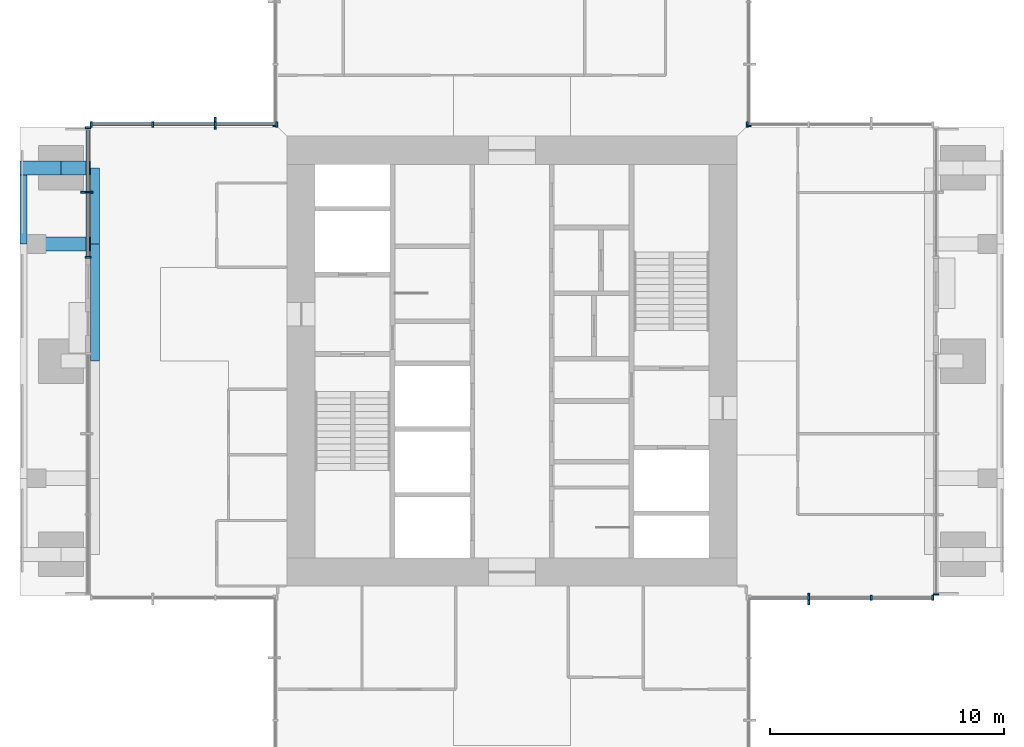
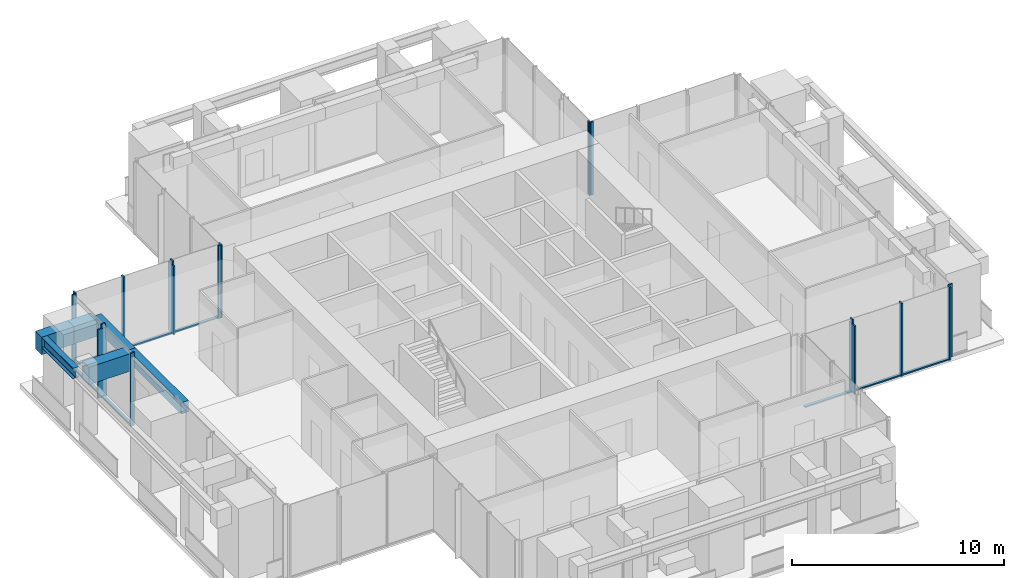
# One storey, part 3 of 12: 25 members, 6 beams, 7 elements without a shape of their own.
"""IFC4 building model written with IfcOpenShell, lengths in metres."""

from ifc_helpers import new_model, si_unit, direction, frame, origin, origin_2d, place, context, subcontext, project, spatial, rectangle, i_section, extrude, material, material_profile, profile_set, type_object, element, aggregate, save


model = new_model("IFC4")

# Units and contexts
model_context = context("Model", 3, precision=1e-05, world=origin(), true_north=direction((0.0, 1.0)))
body_context = subcontext(model_context, "Body", "Model", "MODEL_VIEW")
ifc_project = project(units=[si_unit("LENGTHUNIT", "METRE"), si_unit("AREAUNIT", "SQUARE_METRE"), si_unit("VOLUMEUNIT", "CUBIC_METRE"), si_unit("PLANEANGLEUNIT", "RADIAN"), si_unit("MASSUNIT", "GRAM", prefix="KILO")], contexts=[model_context])

# Site, building, storey
site_placement = place(None, origin())
site = spatial("IfcSite", under=ifc_project, at=site_placement, CompositionType="ELEMENT")
building_placement = place(site_placement, origin())
building = spatial("IfcBuilding", under=site, at=building_placement, Name="Svetlomir Tower", CompositionType="ELEMENT")
storey_placement = place(building_placement, frame((0.0, 0.0, 256.60009765625)))
storey = spatial("IfcBuildingStorey", under=building, at=storey_placement, Name="L61", CompositionType="ELEMENT", Elevation=256.60009765625)

# Curtain wall, member
ifc_material_1 = material(Name="Bronze anodised aluminium curtain wall", Category="aluminium")
curtain_wall_type = type_object("IfcCurtainWallType", Name="CURTAIN WALL CW4 EXECUTIVE", PredefinedType="NOTDEFINED", material=ifc_material_1)
curtain_wall_1_placement = place(storey_placement, origin())
curtain_wall_1 = element("IfcCurtainWall", 1, at=curtain_wall_1_placement, inside=storey, type_object=curtain_wall_type, Name="Curtain wall CW4 L61", PredefinedType="NOTDEFINED")
ifc_material_2 = material(Name="Bronze anodised aluminium", Category="aluminium")
ifc_material_profile_1 = material_profile(ifc_material_2, rectangle(XDim=0.080078125, YDim=0.5, at=origin_2d()), Name="FIN 80x500")
ifc_profile_set_1 = profile_set([ifc_material_profile_1], Name="Bronze anodised aluminium 6063-T6")
member_type_1 = type_object("IfcMemberType", Name="BRONZE FIN 80x500", PredefinedType="USERDEFINED", material=ifc_profile_set_1)
member_1_placement = place(storey_placement, frame((33.666748046875, 10.85009765625, 0.0), z_axis=(0.0, 0.0, 1.0), x_axis=(1.0, 0.0, 0.0)))
member_1 = element("IfcMember", 2, at=member_1_placement, type_object=member_type_1, Name="Bronze fin L61", ObjectType="FIN", PredefinedType="USERDEFINED", context=body_context, shape_type="SweptSolid", body=[
    extrude(rectangle(XDim=0.080078125, YDim=0.5, at=origin_2d()), origin(), (0.0, 0.0, 1.0), 3.949951171875),
])

curtain_wall_2_placement = place(storey_placement, origin())
curtain_wall_2 = element("IfcCurtainWall", 3, at=curtain_wall_2_placement, inside=storey, type_object=curtain_wall_type, Name="Curtain wall CW4 L61", PredefinedType="NOTDEFINED")
member_2_placement = place(storey_placement, frame((8.333251953125, 31.14990234375, 0.0), z_axis=(0.0, 0.0, 1.0), x_axis=(1.0, 0.0, 0.0)))
member_2 = element("IfcMember", 4, at=member_2_placement, type_object=member_type_1, Name="Bronze fin L61", ObjectType="FIN", PredefinedType="USERDEFINED", context=body_context, shape_type="SweptSolid", body=[
    extrude(rectangle(XDim=0.080078125, YDim=0.5, at=origin_2d()), origin(), (0.0, 0.0, 1.0), 3.949951171875),
])

curtain_wall_3_placement = place(storey_placement, origin())
curtain_wall_3 = element("IfcCurtainWall", 5, at=curtain_wall_3_placement, inside=storey, type_object=curtain_wall_type, Name="Curtain wall CW4 L61", PredefinedType="NOTDEFINED")
member_3_placement = place(storey_placement, frame((2.85009765625, 28.199951171875, 0.0), z_axis=(0.0, 0.0, 1.0), x_axis=(0.0, 1.0, 0.0)))
member_3 = element("IfcMember", 6, at=member_3_placement, type_object=member_type_1, Name="Bronze fin L61", ObjectType="FIN", PredefinedType="USERDEFINED", context=body_context, shape_type="SweptSolid", body=[
    extrude(rectangle(XDim=0.080078125, YDim=0.5, at=origin_2d()), origin(), (0.0, 0.0, 1.0), 3.949951171875),
])

# Member
ifc_material_3 = material(Name="Bronze anodised aluminium", Category="aluminium")
ifc_material_profile_2 = material_profile(ifc_material_3, rectangle(XDim=0.074951171875, YDim=0.219970703125, at=origin_2d()), Name="AL 75x220")
ifc_profile_set_2 = profile_set([ifc_material_profile_2], Name="Bronze anodised aluminium 6063-T6")
member_type_2 = type_object("IfcMemberType", Name="CW4 MULLION 75x220", PredefinedType="MULLION", material=ifc_profile_set_2)
member_4_placement = place(storey_placement, frame((33.666748046875, 10.89990234375, 0.0), z_axis=(0.0, 0.0, 1.0), x_axis=(1.0, 0.0, 0.0)))
member_4 = element("IfcMember", 7, at=member_4_placement, type_object=member_type_2, Name="CW4 mullion 2", PredefinedType="MULLION", context=body_context, shape_type="SweptSolid", body=[
    extrude(rectangle(XDim=0.074951171875, YDim=0.219970703125, at=origin_2d()), origin(), (0.0, 0.0, 1.0), 4.199951171875),
])

member_5_placement = place(storey_placement, frame((36.333251953125, 10.89990234375, 0.0), z_axis=(0.0, 0.0, 1.0), x_axis=(1.0, 0.0, 0.0)))
member_5 = element("IfcMember", 8, at=member_5_placement, type_object=member_type_2, Name="CW4 mullion 3", PredefinedType="MULLION", context=body_context, shape_type="SweptSolid", body=[
    extrude(rectangle(XDim=0.074951171875, YDim=0.219970703125, at=origin_2d()), origin(), (0.0, 0.0, 1.0), 4.199951171875),
])

member_6_placement = place(storey_placement, frame((38.96240234375, 10.89990234375, 0.0), z_axis=(0.0, 0.0, 1.0), x_axis=(1.0, 0.0, 0.0)))
member_6 = element("IfcMember", 9, at=member_6_placement, type_object=member_type_2, Name="CW4 mullion 4", PredefinedType="MULLION", context=body_context, shape_type="SweptSolid", body=[
    extrude(rectangle(XDim=0.074951171875, YDim=0.219970703125, at=origin_2d()), origin(), (0.0, 0.0, 1.0), 4.199951171875),
])

# Curtain wall, member
curtain_wall_4_placement = place(storey_placement, origin())
curtain_wall_4 = element("IfcCurtainWall", 10, at=curtain_wall_4_placement, inside=storey, type_object=curtain_wall_type, Name="Curtain wall CW4 L61", PredefinedType="NOTDEFINED")
member_7_placement = place(storey_placement, frame((39.10009765625, 11.03759765625, 0.0), z_axis=(0.0, 0.0, 1.0), x_axis=(0.0, 1.0, 0.0)))
member_7 = element("IfcMember", 11, at=member_7_placement, type_object=member_type_2, Name="CW4 mullion 1", PredefinedType="MULLION", context=body_context, shape_type="SweptSolid", body=[
    extrude(rectangle(XDim=0.074951171875, YDim=0.219970703125, at=origin_2d()), origin(), (0.0, 0.0, 1.0), 4.199951171875),
])
aggregate(curtain_wall_4, [member_7])

curtain_wall_5_placement = place(storey_placement, origin())
curtain_wall_5 = element("IfcCurtainWall", 12, at=curtain_wall_5_placement, inside=storey, type_object=curtain_wall_type, Name="Curtain wall CW4 L61", PredefinedType="NOTDEFINED")
member_8_placement = place(storey_placement, frame((31.03759765625, 31.10009765625, 0.0), z_axis=(0.0, 0.0, 1.0), x_axis=(-1.0, 0.0, 0.0)))
member_8 = element("IfcMember", 13, at=member_8_placement, type_object=member_type_2, Name="CW4 mullion 4", PredefinedType="MULLION", context=body_context, shape_type="SweptSolid", body=[
    extrude(rectangle(XDim=0.074951171875, YDim=0.219970703125, at=origin_2d()), origin(), (0.0, 0.0, 1.0), 4.199951171875),
])
aggregate(curtain_wall_5, [member_8])

curtain_wall_6_placement = place(storey_placement, origin())
curtain_wall_6 = element("IfcCurtainWall", 14, at=curtain_wall_6_placement, inside=storey, type_object=curtain_wall_type, Name="Curtain wall CW4 L61", PredefinedType="NOTDEFINED")
member_9_placement = place(storey_placement, frame((31.10009765625, 31.03759765625, 0.0), z_axis=(0.0, 0.0, 1.0), x_axis=(0.0, 1.0, 0.0)))
member_9 = element("IfcMember", 15, at=member_9_placement, type_object=member_type_2, Name="CW4 mullion 1", PredefinedType="MULLION", context=body_context, shape_type="SweptSolid", body=[
    extrude(rectangle(XDim=0.074951171875, YDim=0.219970703125, at=origin_2d()), origin(), (0.0, 0.0, 1.0), 4.199951171875),
])
aggregate(curtain_wall_6, [member_9])

curtain_wall_7_placement = place(storey_placement, origin())
curtain_wall_7 = element("IfcCurtainWall", 16, at=curtain_wall_7_placement, inside=storey, type_object=curtain_wall_type, Name="Curtain wall CW4 L61", PredefinedType="NOTDEFINED")
member_10_placement = place(storey_placement, frame((10.89990234375, 31.03759765625, 0.0), z_axis=(0.0, 0.0, 1.0), x_axis=(0.0, -1.0, 0.0)))
member_10 = element("IfcMember", 17, at=member_10_placement, type_object=member_type_2, Name="CW4 mullion 4", PredefinedType="MULLION", context=body_context, shape_type="SweptSolid", body=[
    extrude(rectangle(XDim=0.074951171875, YDim=0.219970703125, at=origin_2d()), origin(), (0.0, 0.0, 1.0), 4.199951171875),
])
aggregate(curtain_wall_7, [member_10])

# Member
member_11_placement = place(storey_placement, frame((10.96240234375, 31.10009765625, 0.0), z_axis=(0.0, 0.0, 1.0), x_axis=(-1.0, 0.0, 0.0)))
member_11 = element("IfcMember", 18, at=member_11_placement, type_object=member_type_2, Name="CW4 mullion 1", PredefinedType="MULLION", context=body_context, shape_type="SweptSolid", body=[
    extrude(rectangle(XDim=0.074951171875, YDim=0.219970703125, at=origin_2d()), origin(), (0.0, 0.0, 1.0), 4.199951171875),
])

member_12_placement = place(storey_placement, frame((8.333251953125, 31.10009765625, 0.0), z_axis=(0.0, 0.0, 1.0), x_axis=(-1.0, 0.0, 0.0)))
member_12 = element("IfcMember", 19, at=member_12_placement, type_object=member_type_2, Name="CW4 mullion 2", PredefinedType="MULLION", context=body_context, shape_type="SweptSolid", body=[
    extrude(rectangle(XDim=0.074951171875, YDim=0.219970703125, at=origin_2d()), origin(), (0.0, 0.0, 1.0), 4.199951171875),
])

member_13_placement = place(storey_placement, frame((5.666748046875, 31.10009765625, 0.0), z_axis=(0.0, 0.0, 1.0), x_axis=(-1.0, 0.0, 0.0)))
member_13 = element("IfcMember", 20, at=member_13_placement, type_object=member_type_2, Name="CW4 mullion 3", PredefinedType="MULLION", context=body_context, shape_type="SweptSolid", body=[
    extrude(rectangle(XDim=0.074951171875, YDim=0.219970703125, at=origin_2d()), origin(), (0.0, 0.0, 1.0), 4.199951171875),
])

member_14_placement = place(storey_placement, frame((3.03759765625, 31.10009765625, 0.0), z_axis=(0.0, 0.0, 1.0), x_axis=(-1.0, 0.0, 0.0)))
member_14 = element("IfcMember", 21, at=member_14_placement, type_object=member_type_2, Name="CW4 mullion 4", PredefinedType="MULLION", context=body_context, shape_type="SweptSolid", body=[
    extrude(rectangle(XDim=0.074951171875, YDim=0.219970703125, at=origin_2d()), origin(), (0.0, 0.0, 1.0), 4.199951171875),
])

member_15_placement = place(storey_placement, frame((2.89990234375, 30.96240234375, 0.0), z_axis=(0.0, 0.0, 1.0), x_axis=(0.0, -1.0, 0.0)))
member_15 = element("IfcMember", 22, at=member_15_placement, type_object=member_type_2, Name="CW4 mullion 1", PredefinedType="MULLION", context=body_context, shape_type="SweptSolid", body=[
    extrude(rectangle(XDim=0.074951171875, YDim=0.219970703125, at=origin_2d()), origin(), (0.0, 0.0, 1.0), 4.199951171875),
])

member_16_placement = place(storey_placement, frame((2.89990234375, 28.199951171875, 0.0), z_axis=(0.0, 0.0, 1.0), x_axis=(0.0, -1.0, 0.0)))
member_16 = element("IfcMember", 23, at=member_16_placement, type_object=member_type_2, Name="CW4 mullion 2", PredefinedType="MULLION", context=body_context, shape_type="SweptSolid", body=[
    extrude(rectangle(XDim=0.074951171875, YDim=0.219970703125, at=origin_2d()), origin(), (0.0, 0.0, 1.0), 4.199951171875),
])

member_17_placement = place(storey_placement, frame((2.89990234375, 25.4375, 0.0), z_axis=(0.0, 0.0, 1.0), x_axis=(0.0, -1.0, 0.0)))
member_17 = element("IfcMember", 24, at=member_17_placement, type_object=member_type_2, Name="CW4 mullion 3", PredefinedType="MULLION", context=body_context, shape_type="SweptSolid", body=[
    extrude(rectangle(XDim=0.074951171875, YDim=0.219970703125, at=origin_2d()), origin(), (0.0, 0.0, 1.0), 4.199951171875),
])

ifc_material_4 = material(Name="Bronze anodised aluminium", Category="aluminium")
ifc_material_profile_3 = material_profile(ifc_material_4, rectangle(XDim=0.14990234375, YDim=0.074951171875, at=origin_2d()), Name="AL 150x75")
ifc_profile_set_3 = profile_set([ifc_material_profile_3], Name="Bronze anodised aluminium 6063-T6")
member_type_3 = type_object("IfcMemberType", Name="CW4 TRANSOM 75x150", PredefinedType="USERDEFINED", material=ifc_profile_set_3)
member_18_placement = place(storey_placement, frame((31.074951171875, 10.89990234375, 0.037353515625), z_axis=(1.0, 0.0, 0.0), x_axis=(0.0, 1.0, 0.0)))
member_18 = element("IfcMember", 25, at=member_18_placement, type_object=member_type_3, Name="CW4 transom 1.1", ObjectType="TRANSOM", PredefinedType="USERDEFINED", context=body_context, shape_type="SweptSolid", body=[
    extrude(rectangle(XDim=0.14990234375, YDim=0.074951171875, at=origin_2d()), origin(), (0.0, 0.0, 1.0), 2.55419921875),
])

member_19_placement = place(storey_placement, frame((33.7041015625, 10.89990234375, 0.037353515625), z_axis=(1.0, 0.0, 0.0), x_axis=(0.0, 1.0, 0.0)))
member_19 = element("IfcMember", 26, at=member_19_placement, type_object=member_type_3, Name="CW4 transom 2.1", ObjectType="TRANSOM", PredefinedType="USERDEFINED", context=body_context, shape_type="SweptSolid", body=[
    extrude(rectangle(XDim=0.14990234375, YDim=0.074951171875, at=origin_2d()), origin(), (0.0, 0.0, 1.0), 2.591796875),
])

member_20_placement = place(storey_placement, frame((36.370849609375, 10.89990234375, 0.037353515625), z_axis=(1.0, 0.0, 0.0), x_axis=(0.0, 1.0, 0.0)))
member_20 = element("IfcMember", 27, at=member_20_placement, type_object=member_type_3, Name="CW4 transom 3.1", ObjectType="TRANSOM", PredefinedType="USERDEFINED", context=body_context, shape_type="SweptSolid", body=[
    extrude(rectangle(XDim=0.14990234375, YDim=0.074951171875, at=origin_2d()), origin(), (0.0, 0.0, 1.0), 2.55419921875),
])

aggregate(curtain_wall_1, [member_4, member_5, member_6, member_18, member_19, member_20, member_1])

member_21_placement = place(storey_placement, frame((10.925048828125, 31.10009765625, 0.037353515625), z_axis=(-1.0, 0.0, 0.0), x_axis=(0.0, -1.0, 0.0)))
member_21 = element("IfcMember", 28, at=member_21_placement, type_object=member_type_3, Name="CW4 transom 1.1", ObjectType="TRANSOM", PredefinedType="USERDEFINED", context=body_context, shape_type="SweptSolid", body=[
    extrude(rectangle(XDim=0.14990234375, YDim=0.074951171875, at=origin_2d()), origin(), (0.0, 0.0, 1.0), 2.55419921875),
])

member_22_placement = place(storey_placement, frame((8.2958984375, 31.10009765625, 0.037353515625), z_axis=(-1.0, 0.0, 0.0), x_axis=(0.0, -1.0, 0.0)))
member_22 = element("IfcMember", 29, at=member_22_placement, type_object=member_type_3, Name="CW4 transom 2.1", ObjectType="TRANSOM", PredefinedType="USERDEFINED", context=body_context, shape_type="SweptSolid", body=[
    extrude(rectangle(XDim=0.14990234375, YDim=0.074951171875, at=origin_2d()), origin(), (0.0, 0.0, 1.0), 2.591796875),
])

member_23_placement = place(storey_placement, frame((5.629150390625, 31.10009765625, 0.037353515625), z_axis=(-1.0, 0.0, 0.0), x_axis=(0.0, -1.0, 0.0)))
member_23 = element("IfcMember", 30, at=member_23_placement, type_object=member_type_3, Name="CW4 transom 3.1", ObjectType="TRANSOM", PredefinedType="USERDEFINED", context=body_context, shape_type="SweptSolid", body=[
    extrude(rectangle(XDim=0.14990234375, YDim=0.074951171875, at=origin_2d()), origin(), (0.0, 0.0, 1.0), 2.55419921875),
])

aggregate(curtain_wall_2, [member_11, member_12, member_13, member_14, member_21, member_22, member_23, member_2])

member_24_placement = place(storey_placement, frame((2.89990234375, 30.925048828125, 0.037353515625), z_axis=(0.0, -1.0, 0.0), x_axis=(1.0, 0.0, 0.0)))
member_24 = element("IfcMember", 31, at=member_24_placement, type_object=member_type_3, Name="CW4 transom 1.1", ObjectType="TRANSOM", PredefinedType="USERDEFINED", context=body_context, shape_type="SweptSolid", body=[
    extrude(rectangle(XDim=0.14990234375, YDim=0.074951171875, at=origin_2d()), origin(), (0.0, 0.0, 1.0), 2.6875),
])

member_25_placement = place(storey_placement, frame((2.89990234375, 28.16259765625, 0.037353515625), z_axis=(0.0, -1.0, 0.0), x_axis=(1.0, 0.0, 0.0)))
member_25 = element("IfcMember", 32, at=member_25_placement, type_object=member_type_3, Name="CW4 transom 2.1", ObjectType="TRANSOM", PredefinedType="USERDEFINED", context=body_context, shape_type="SweptSolid", body=[
    extrude(rectangle(XDim=0.14990234375, YDim=0.074951171875, at=origin_2d()), origin(), (0.0, 0.0, 1.0), 2.6875),
])

aggregate(curtain_wall_3, [member_15, member_16, member_17, member_24, member_25, member_3])

# Beams
ifc_material_5 = material(Name="Steel S355", Category="steel")
ifc_material_profile_4 = material_profile(ifc_material_5, i_section(OverallWidth=0.304931640625, OverallDepth=0.6201171875, WebThickness=0.02099609375, FlangeThickness=0.0400390625, FilletRadius=0.027099609375, at=origin_2d()), Name="HEM 600")
ifc_profile_set_4 = profile_set([ifc_material_profile_4], Name="Steel S355")
beam_type_1 = type_object("IfcBeamType", Name="EDGE BEAM HEM 600", PredefinedType="SPANDREL", material=ifc_profile_set_4)
beam_1_placement = place(storey_placement, frame((0.152587890625, 26.0, 3.639892578125), z_axis=(0.0, 1.0, 0.0), x_axis=(-1.0, 0.0, 0.0)))
element("IfcBeam", 33, at=beam_1_placement, inside=storey, type_object=beam_type_1, Name="Edge beam 0/26 to 0/31 under L62", PredefinedType="SPANDREL", context=body_context, shape_type="SweptSolid", body=[
    extrude(i_section(OverallWidth=0.304931640625, OverallDepth=0.6201171875, WebThickness=0.02099609375, FlangeThickness=0.0400390625, FilletRadius=0.027099609375, at=origin_2d()), origin(), (0.0, 0.0, 1.0), 2.949951171875),
])
ifc_material_6 = material(Name="Concrete C60/75", Category="concrete")
ifc_material_profile_5 = material_profile(ifc_material_6, rectangle(XDim=0.60009765625, YDim=1.0, at=origin_2d()), Name="RC 600x1000")
ifc_profile_set_5 = profile_set([ifc_material_profile_5], Name="Concrete C60/75")
beam_type_2 = type_object("IfcBeamType", Name="EDGE LINK BEAM RC 600x1000", PredefinedType="BEAM", material=ifc_profile_set_5)
beam_2_placement = place(storey_placement, frame((1.75, 29.25, 3.449951171875), z_axis=(-1.0, 0.0, 0.0), x_axis=(0.0, -1.0, 0.0)))
element("IfcBeam", 34, at=beam_2_placement, inside=storey, type_object=beam_type_2, Name="Edge link beam W 0/31 under L62", PredefinedType="BEAM", context=body_context, shape_type="SweptSolid", body=[
    extrude(rectangle(XDim=0.60009765625, YDim=1.0, at=origin_2d()), origin(), (0.0, 0.0, 1.0), 1.75),
])
ifc_material_7 = material(Name="Concrete C60/75", Category="concrete")
ifc_material_profile_6 = material_profile(ifc_material_7, rectangle(XDim=0.39990234375, YDim=0.64990234375, at=origin_2d()), Name="RC 400x650")
ifc_profile_set_6 = profile_set([ifc_material_profile_6], Name="Concrete C60/75")
beam_type_3 = type_object("IfcBeamType", Name="FACADE EDGE BEAM RC 400x650", PredefinedType="BEAM", material=ifc_profile_set_6)
beam_3_placement = place(storey_placement, frame((3.199951171875, 21.0, 3.625), z_axis=(0.0, 1.0, 0.0), x_axis=(-1.0, 0.0, 0.0)))
element("IfcBeam", 35, at=beam_3_placement, inside=storey, type_object=beam_type_3, Name="Facade edge beam W 21 to 26 under L62", PredefinedType="BEAM", context=body_context, shape_type="SweptSolid", body=[
    extrude(rectangle(XDim=0.39990234375, YDim=0.64990234375, at=origin_2d()), origin(), (0.0, 0.0, 1.0), 5.0),
])
beam_4_placement = place(storey_placement, frame((3.199951171875, 26.0, 3.625), z_axis=(0.0, 1.0, 0.0), x_axis=(-1.0, 0.0, 0.0)))
element("IfcBeam", 36, at=beam_4_placement, inside=storey, type_object=beam_type_3, Name="Facade edge beam W 26 to 31 under L62", PredefinedType="BEAM", context=body_context, shape_type="SweptSolid", body=[
    extrude(rectangle(XDim=0.39990234375, YDim=0.64990234375, at=origin_2d()), origin(), (0.0, 0.0, 1.0), 3.25),
])
ifc_material_8 = material(Name="Concrete C60/75", Category="concrete")
ifc_material_profile_7 = material_profile(ifc_material_8, rectangle(XDim=0.60009765625, YDim=1.0, at=origin_2d()), Name="RC 600x1000")
ifc_profile_set_7 = profile_set([ifc_material_profile_7], Name="Concrete C60/75")
beam_type_4 = type_object("IfcBeamType", Name="LOGGIA LINK BEAM RC 600x1000", PredefinedType="BEAM", material=ifc_profile_set_7)
beam_5_placement = place(storey_placement, frame((0.699951171875, 26.0, 3.449951171875), z_axis=(1.0, 0.0, 0.0), x_axis=(0.0, 1.0, 0.0)))
element("IfcBeam", 37, at=beam_5_placement, inside=storey, type_object=beam_type_4, Name="Loggia link beam W 26 under L62", PredefinedType="BEAM", context=body_context, shape_type="SweptSolid", body=[
    extrude(rectangle(XDim=0.60009765625, YDim=1.0, at=origin_2d()), origin(), (0.0, 0.0, 1.0), 2.300048828125),
])
beam_6_placement = place(storey_placement, frame((1.75, 29.25, 3.449951171875), z_axis=(1.0, 0.0, 0.0), x_axis=(0.0, 1.0, 0.0)))
element("IfcBeam", 38, at=beam_6_placement, inside=storey, type_object=beam_type_4, Name="Loggia link beam W 31 under L62", PredefinedType="BEAM", context=body_context, shape_type="SweptSolid", body=[
    extrude(rectangle(XDim=0.60009765625, YDim=1.0, at=origin_2d()), origin(), (0.0, 0.0, 1.0), 1.25),
])

save(model, "model.ifc")
